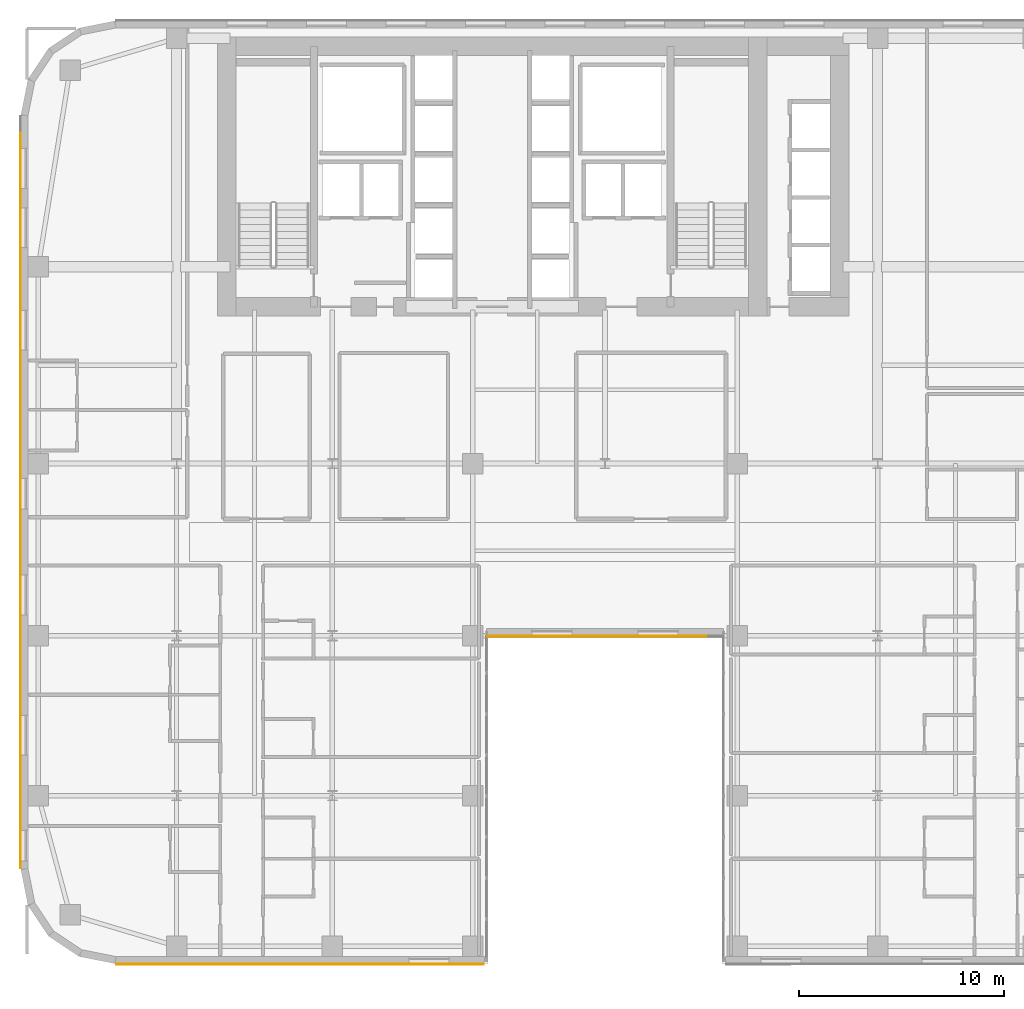
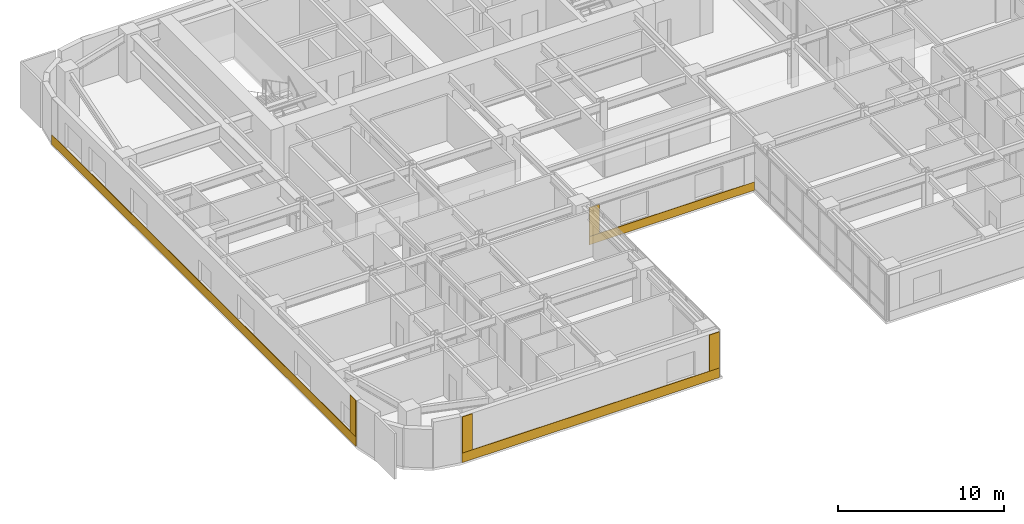
# One storey, part 20 of 25: 7 coverings.
"""IFC4 building model written with IfcOpenShell, lengths in metres."""

from ifc_helpers import new_model, si_unit, direction, frame, origin, place, context, subcontext, project, spatial, polyline, outline, extrude, material, layer, layer_set, type_object, element, save


model = new_model("IFC4")

# Units and contexts
model_context = context("Model", 3, precision=1e-05, world=origin(), true_north=direction((0.0, 1.0)))
body_context = subcontext(model_context, "Body", "Model", "MODEL_VIEW")
ifc_project = project(units=[si_unit("LENGTHUNIT", "METRE"), si_unit("AREAUNIT", "SQUARE_METRE"), si_unit("VOLUMEUNIT", "CUBIC_METRE"), si_unit("PLANEANGLEUNIT", "RADIAN"), si_unit("MASSUNIT", "GRAM", prefix="KILO")], contexts=[model_context])

# Site, building, storey
site_placement = place(None, origin())
site = spatial("IfcSite", under=ifc_project, at=site_placement, CompositionType="ELEMENT")
building_placement = place(site_placement, origin())
building = spatial("IfcBuilding", under=site, at=building_placement, Name="Tolvann Quenvar Hotel", CompositionType="ELEMENT")
storey_placement = place(building_placement, frame((0.0, 0.0, 46.199951171875)))
storey = spatial("IfcBuildingStorey", under=building, at=storey_placement, Name="L10", CompositionType="ELEMENT", Elevation=46.199951171875)

# Coverings
ifc_material_1 = material(Name="Kiln-fired red architectural face brick cladding", Category="masonry")
ifc_layer_1 = layer(ifc_material_1, 0.0400390625)
ifc_layer_set_1 = layer_set([ifc_layer_1], Name="Kiln-fired red architectural face brick cladding")
covering_type_1 = type_object("IfcCoveringType", Name="COV_CLAD_BRICK_40", PredefinedType="CLADDING", material=ifc_layer_set_1)
covering_1_placement = place(storey_placement, frame((0.0, 0.0, 0.699951171875)))
element("IfcCovering", 1, at=covering_1_placement, inside=storey, type_object=covering_type_1, Name="Brick Pier Cladding (L10-E04-P1)", PredefinedType="CLADDING", context=body_context, shape_type="SweptSolid", body=[
    extrude(outline(polyline([(4.667236328125, 0.0), (5.3671875, 0.0), (5.3671875, -0.0400390625), (4.667236328125, -0.0400390625), (4.667236328125, 0.0)])), origin(), (0.0, 0.0, 1.0), 2.670166015625),
])
covering_2_placement = place(storey_placement, frame((0.0, 0.0, 0.699951171875)))
element("IfcCovering", 2, at=covering_2_placement, inside=storey, type_object=covering_type_1, Name="Brick Pier Cladding (L10-E04-P2)", PredefinedType="CLADDING", context=body_context, shape_type="SweptSolid", body=[
    extrude(outline(polyline([(21.875, 0.0), (22.574951171875, 0.0), (22.574951171875, -0.0400390625), (21.875, -0.0400390625), (21.875, 0.0)])), origin(), (0.0, 0.0, 1.0), 2.670166015625),
])
covering_3_placement = place(storey_placement, frame((0.0, 0.0, 0.604736328125)))
element("IfcCovering", 3, at=covering_3_placement, inside=storey, type_object=covering_type_1, Name="Brick Pier Cladding (L10-E06-P1)", PredefinedType="CLADDING", context=body_context, shape_type="SweptSolid", body=[
    extrude(outline(polyline([(22.760009765625, 16.0), (23.4599609375, 16.0), (23.4599609375, 15.9599609375), (22.760009765625, 15.9599609375), (22.760009765625, 16.0)])), origin(), (0.0, 0.0, 1.0), 2.143310546875),
])
covering_4_placement = place(storey_placement, frame((0.0, 0.0, 0.699951171875)))
element("IfcCovering", 4, at=covering_4_placement, inside=storey, type_object=covering_type_1, Name="Brick Pier Cladding (L10-E23-P2)", PredefinedType="CLADDING", context=body_context, shape_type="SweptSolid", body=[
    extrude(outline(polyline([(0.0, 5.3671875), (0.0, 4.667236328125), (-0.0400390625, 4.667236328125), (-0.0400390625, 5.3671875), (0.0, 5.3671875)])), origin(), (0.0, 0.0, 1.0), 2.670166015625),
])
ifc_material_2 = material(Name="Moulded buff architectural terracotta spandrel cladding", Category="masonry")
ifc_layer_2 = layer(ifc_material_2, 0.0400390625)
ifc_layer_set_2 = layer_set([ifc_layer_2], Name="Moulded buff architectural terracotta spandrel cladding")
covering_type_2 = type_object("IfcCoveringType", Name="COV_CLAD_TERRA_40", PredefinedType="CLADDING", material=ifc_layer_set_2)
covering_5_placement = place(storey_placement, origin())
element("IfcCovering", 5, at=covering_5_placement, inside=storey, type_object=covering_type_2, Name="Terracotta Spandrel Cladding (L10-E04)", PredefinedType="CLADDING", context=body_context, shape_type="SweptSolid", body=[
    extrude(outline(polyline([(4.6572265625, 0.0), (22.5849609375, 0.0), (22.5849609375, -0.0400390625), (4.6572265625, -0.0400390625), (4.6572265625, 0.0)])), origin(), (0.0, 0.0, 1.0), 0.699951171875),
])
covering_6_placement = place(storey_placement, origin())
element("IfcCovering", 6, at=covering_6_placement, inside=storey, type_object=covering_type_2, Name="Terracotta Spandrel Cladding (L10-E06)", PredefinedType="CLADDING", context=body_context, shape_type="SweptSolid", body=[
    extrude(outline(polyline([(22.75, 16.0), (34.25, 16.0), (34.25, 15.9599609375), (22.75, 15.9599609375), (22.75, 16.0)])), origin(), (0.0, 0.0, 1.0), 0.604736328125),
])
covering_7_placement = place(storey_placement, origin())
element("IfcCovering", 7, at=covering_7_placement, inside=storey, type_object=covering_type_2, Name="Terracotta Spandrel Cladding (L10-E23)", PredefinedType="CLADDING", context=body_context, shape_type="SweptSolid", body=[
    extrude(outline(polyline([(0.0, 41.3427734375), (0.0, 4.6572265625), (-0.0400390625, 4.6572265625), (-0.0400390625, 41.3427734375), (0.0, 41.3427734375)])), origin(), (0.0, 0.0, 1.0), 0.699951171875),
])

save(model, "model.ifc")
